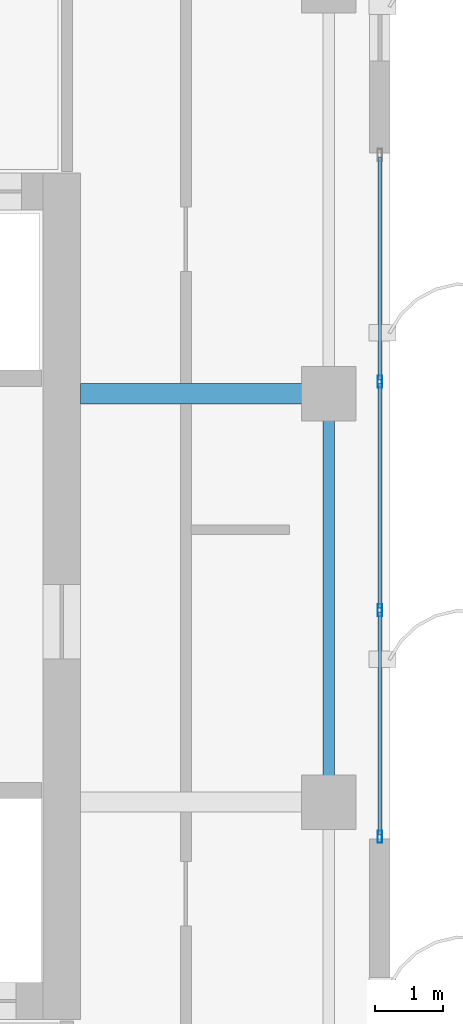
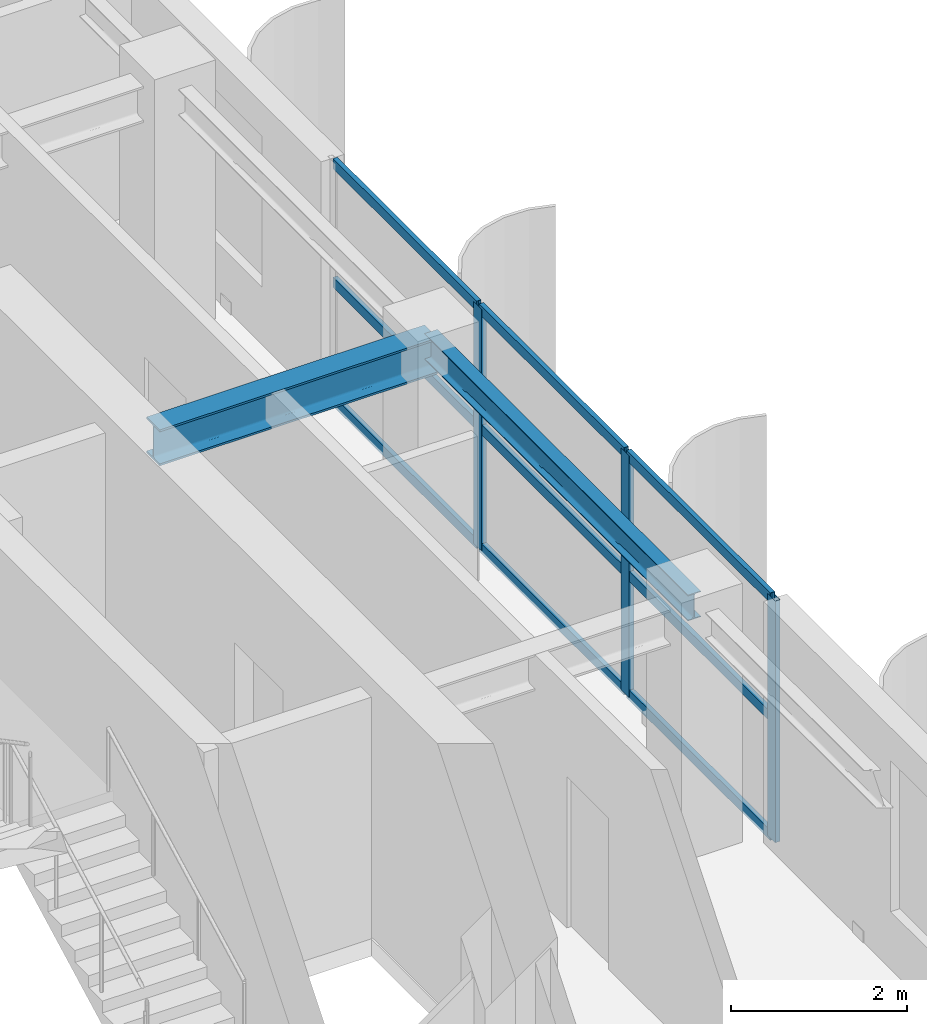
# One storey, part 12 of 24: 12 members, 2 beams, 1 element without a shape of its own.
"""IFC4 building model written with IfcOpenShell, lengths in metres."""

from ifc_helpers import new_model, si_unit, direction, frame, origin, origin_2d, place, context, subcontext, project, spatial, hollow_rectangle, i_section, extrude, source, transform, mapped, material, layer, layer_set, material_profile, profile_set, type_object, element, aggregate, save


model = new_model("IFC4")

# Units and contexts
model_context = context("Model", 3, precision=1e-05, world=origin(), true_north=direction((0.0, 1.0)))
body_context = subcontext(model_context, "Body", "Model", "MODEL_VIEW")
ifc_project = project(units=[si_unit("LENGTHUNIT", "METRE"), si_unit("AREAUNIT", "SQUARE_METRE"), si_unit("VOLUMEUNIT", "CUBIC_METRE"), si_unit("PLANEANGLEUNIT", "RADIAN"), si_unit("MASSUNIT", "GRAM", prefix="KILO")], contexts=[model_context])

# Site, building, storey
site_placement = place(None, origin())
site = spatial("IfcSite", under=ifc_project, at=site_placement, CompositionType="ELEMENT")
building_placement = place(site_placement, origin())
building = spatial("IfcBuilding", under=site, at=building_placement, Name="Khoralis Quay Care Tower", CompositionType="ELEMENT")
storey_placement = place(building_placement, frame((0.0, 0.0, 231.300048828125)))
storey = spatial("IfcBuildingStorey", under=building, at=storey_placement, Name="L60", CompositionType="ELEMENT", Elevation=231.300048828125)

# Beams
ifc_material_1 = material(Name="Steel S355", Category="steel")
ifc_material_profile_1 = material_profile(ifc_material_1, i_section(OverallWidth=0.169921875, OverallDepth=0.360107421875, WebThickness=0.008056640625, FlangeThickness=0.0126953125, FilletRadius=0.01806640625, at=origin_2d()), Name="Steel S355")
ifc_profile_set_1 = profile_set([ifc_material_profile_1], Name="Steel S355")
beam_type_1 = type_object("IfcBeamType", Name="BM-IPE360", PredefinedType="SPANDREL", material=ifc_profile_set_1)
shared_shape_1 = source(origin(), body_context, "Body", "SweptSolid", [
    extrude(i_section(OverallWidth=0.169921875, OverallDepth=0.360107421875, WebThickness=0.008056640625, FlangeThickness=0.0126953125, FilletRadius=0.01806640625, at=origin_2d()), origin(), (0.0, 0.0, 1.0), 6.0),
])
beam_1_placement = place(storey_placement, frame((41.10009765625, 18.0, 3.179931640625), z_axis=(0.0, 1.0, 0.0), x_axis=(-1.0, 0.0, 0.0)))
element("IfcBeam", 1, at=beam_1_placement, inside=storey, type_object=beam_type_1, Name="BM-TSP-L60-10", PredefinedType="SPANDREL", context=body_context, shape_type="MappedRepresentation", body=[
    mapped(shared_shape_1, transform((0.0, 0.0, 0.0), scale=1.0)),
])
ifc_material_profile_2 = material_profile(ifc_material_1, i_section(OverallWidth=0.300048828125, OverallDepth=0.5, WebThickness=0.014404296875, FlangeThickness=0.028076171875, FilletRadius=0.027099609375, at=origin_2d()), Name="Steel S355")
ifc_profile_set_2 = profile_set([ifc_material_profile_2], Name="Steel S355")
beam_type_2 = type_object("IfcBeamType", Name="BM-HEB500", PredefinedType="BEAM", material=ifc_profile_set_2)
shared_shape_2 = source(origin(), body_context, "Body", "SweptSolid", [
    extrude(i_section(OverallWidth=0.300048828125, OverallDepth=0.5, WebThickness=0.014404296875, FlangeThickness=0.028076171875, FilletRadius=0.027099609375, at=origin_2d()), origin(), (0.0, 0.0, 1.0), 3.652099609375),
])
beam_2_placement = place(storey_placement, frame((37.447998046875, 24.0, 3.10986328125), z_axis=(1.0, 0.0, 0.0), x_axis=(0.0, 1.0, 0.0)))
element("IfcBeam", 2, at=beam_2_placement, inside=storey, type_object=beam_type_2, Name="BM-TGXE-L60-240", PredefinedType="BEAM", context=body_context, shape_type="MappedRepresentation", body=[
    mapped(shared_shape_2, transform((0.0, 0.0, 0.0), scale=1.0)),
])

# Curtain wall, members
ifc_material_2 = material(Name="Pale anodised aluminium", Category="aluminium")
ifc_layer = layer(ifc_material_2, 0.159912109375)
ifc_layer_set = layer_set([ifc_layer], Name="Pale anodised aluminium")
curtain_wall_type = type_object("IfcCurtainWallType", Name="CW-SYS-Z3", PredefinedType="NOTDEFINED", material=ifc_layer_set)
curtain_wall_placement = place(storey_placement, origin())
curtain_wall = element("IfcCurtainWall", 3, at=curtain_wall_placement, inside=storey, type_object=curtain_wall_type, Name="L60 Unitised Curtain Wall CW-L60-P2-E5", PredefinedType="NOTDEFINED")
ifc_material_profile_3 = material_profile(ifc_material_2, hollow_rectangle(XDim=0.06005859375, YDim=0.139892578125, WallThickness=0.00390625, at=origin_2d()), Name="Pale anodised aluminium")
ifc_profile_set_3 = profile_set([ifc_material_profile_3], Name="Pale anodised aluminium")
member_type_1 = type_object("IfcMemberType", Name="CW-TRN-140", PredefinedType="USERDEFINED", material=ifc_profile_set_3)
shared_shape_3 = source(origin(), body_context, "Body", "SweptSolid", [
    extrude(hollow_rectangle(XDim=0.06005859375, YDim=0.139892578125, WallThickness=0.00390625, at=origin_2d()), origin(), (0.0, 0.0, 1.0), 3.27001953125),
])
member_1_placement = place(storey_placement, frame((41.85009765625, 17.52001953125, 0.030029296875), z_axis=(0.0, 1.0, 0.0), x_axis=(-1.0, 0.0, 0.0)))
member_1 = element("IfcMember", 4, at=member_1_placement, type_object=member_type_1, Name="CW3 transom 1.1", ObjectType="TRANSOM", PredefinedType="USERDEFINED", context=body_context, shape_type="MappedRepresentation", body=[
    mapped(shared_shape_3, transform((0.0, 0.0, 0.0), scale=1.0)),
])
member_2_placement = place(storey_placement, frame((41.85009765625, 17.52001953125, 1.679931640625), z_axis=(0.0, 1.0, 0.0), x_axis=(-1.0, 0.0, 0.0)))
member_2 = element("IfcMember", 5, at=member_2_placement, type_object=member_type_1, Name="CW3 transom 1.2", ObjectType="TRANSOM", PredefinedType="USERDEFINED", context=body_context, shape_type="MappedRepresentation", body=[
    mapped(shared_shape_3, transform((0.0, 0.0, 0.0), scale=1.0)),
])
member_3_placement = place(storey_placement, frame((41.85009765625, 17.52001953125, 3.329833984375), z_axis=(0.0, 1.0, 0.0), x_axis=(-1.0, 0.0, 0.0)))
member_3 = element("IfcMember", 6, at=member_3_placement, type_object=member_type_1, Name="CW3 transom 1.3", ObjectType="TRANSOM", PredefinedType="USERDEFINED", context=body_context, shape_type="MappedRepresentation", body=[
    mapped(shared_shape_3, transform((0.0, 0.0, 0.0), scale=1.0)),
])
member_4_placement = place(storey_placement, frame((41.85009765625, 24.2099609375, 0.030029296875), z_axis=(0.0, 1.0, 0.0), x_axis=(-1.0, 0.0, 0.0)))
member_4 = element("IfcMember", 7, at=member_4_placement, type_object=member_type_1, Name="CW3 transom 3.1", ObjectType="TRANSOM", PredefinedType="USERDEFINED", context=body_context, shape_type="MappedRepresentation", body=[
    mapped(shared_shape_3, transform((0.0, 0.0, 0.0), scale=1.0)),
])
member_5_placement = place(storey_placement, frame((41.85009765625, 24.2099609375, 1.679931640625), z_axis=(0.0, 1.0, 0.0), x_axis=(-1.0, 0.0, 0.0)))
member_5 = element("IfcMember", 8, at=member_5_placement, type_object=member_type_1, Name="CW3 transom 3.2", ObjectType="TRANSOM", PredefinedType="USERDEFINED", context=body_context, shape_type="MappedRepresentation", body=[
    mapped(shared_shape_3, transform((0.0, 0.0, 0.0), scale=1.0)),
])
member_6_placement = place(storey_placement, frame((41.85009765625, 24.2099609375, 3.329833984375), z_axis=(0.0, 1.0, 0.0), x_axis=(-1.0, 0.0, 0.0)))
member_6 = element("IfcMember", 9, at=member_6_placement, type_object=member_type_1, Name="CW3 transom 3.3", ObjectType="TRANSOM", PredefinedType="USERDEFINED", context=body_context, shape_type="MappedRepresentation", body=[
    mapped(shared_shape_3, transform((0.0, 0.0, 0.0), scale=1.0)),
])
shared_shape_4 = source(origin(), body_context, "Body", "SweptSolid", [
    extrude(hollow_rectangle(XDim=0.06005859375, YDim=0.139892578125, WallThickness=0.00390625, at=origin_2d()), origin(), (0.0, 0.0, 1.0), 3.2998046875),
])
member_7_placement = place(storey_placement, frame((41.85009765625, 20.85009765625, 0.030029296875), z_axis=(0.0, 1.0, 0.0), x_axis=(-1.0, 0.0, 0.0)))
member_7 = element("IfcMember", 10, at=member_7_placement, type_object=member_type_1, Name="CW3 transom 2.1", ObjectType="TRANSOM", PredefinedType="USERDEFINED", context=body_context, shape_type="MappedRepresentation", body=[
    mapped(shared_shape_4, transform((0.0, 0.0, 0.0), scale=1.0)),
])
member_8_placement = place(storey_placement, frame((41.85009765625, 20.85009765625, 1.679931640625), z_axis=(0.0, 1.0, 0.0), x_axis=(-1.0, 0.0, 0.0)))
member_8 = element("IfcMember", 11, at=member_8_placement, type_object=member_type_1, Name="CW3 transom 2.2", ObjectType="TRANSOM", PredefinedType="USERDEFINED", context=body_context, shape_type="MappedRepresentation", body=[
    mapped(shared_shape_4, transform((0.0, 0.0, 0.0), scale=1.0)),
])
member_9_placement = place(storey_placement, frame((41.85009765625, 20.85009765625, 3.329833984375), z_axis=(0.0, 1.0, 0.0), x_axis=(-1.0, 0.0, 0.0)))
member_9 = element("IfcMember", 12, at=member_9_placement, type_object=member_type_1, Name="CW3 transom 2.3", ObjectType="TRANSOM", PredefinedType="USERDEFINED", context=body_context, shape_type="MappedRepresentation", body=[
    mapped(shared_shape_4, transform((0.0, 0.0, 0.0), scale=1.0)),
])
ifc_material_profile_4 = material_profile(ifc_material_2, hollow_rectangle(XDim=0.06494140625, YDim=0.179931640625, WallThickness=0.00390625, at=origin_2d()), Name="Pale anodised aluminium")
ifc_profile_set_4 = profile_set([ifc_material_profile_4], Name="Pale anodised aluminium")
member_type_2 = type_object("IfcMemberType", Name="CW-MUL-180", PredefinedType="MULLION", material=ifc_profile_set_4)
shared_shape_5 = source(origin(), body_context, "Body", "SweptSolid", [
    extrude(hollow_rectangle(XDim=0.06494140625, YDim=0.179931640625, WallThickness=0.00390625, at=origin_2d()), origin(), (0.0, 0.0, 1.0), 3.35986328125),
])
member_10_placement = place(storey_placement, frame((41.85009765625, 17.489990234375, 0.0), z_axis=(0.0, 0.0, 1.0), x_axis=(-1.0, 0.0, 0.0)))
member_10 = element("IfcMember", 13, at=member_10_placement, type_object=member_type_2, Name="CW3 mullion 1", PredefinedType="MULLION", context=body_context, shape_type="MappedRepresentation", body=[
    mapped(shared_shape_5, transform((0.0, 0.0, 0.0), scale=1.0)),
])
member_11_placement = place(storey_placement, frame((41.85009765625, 20.820068359375, 0.0), z_axis=(0.0, 0.0, 1.0), x_axis=(-1.0, 0.0, 0.0)))
member_11 = element("IfcMember", 14, at=member_11_placement, type_object=member_type_2, Name="CW3 mullion 2", PredefinedType="MULLION", context=body_context, shape_type="MappedRepresentation", body=[
    mapped(shared_shape_5, transform((0.0, 0.0, 0.0), scale=1.0)),
])
member_12_placement = place(storey_placement, frame((41.85009765625, 24.179931640625, 0.0), z_axis=(0.0, 0.0, 1.0), x_axis=(-1.0, 0.0, 0.0)))
member_12 = element("IfcMember", 15, at=member_12_placement, type_object=member_type_2, Name="CW3 mullion 3", PredefinedType="MULLION", context=body_context, shape_type="MappedRepresentation", body=[
    mapped(shared_shape_5, transform((0.0, 0.0, 0.0), scale=1.0)),
])
aggregate(curtain_wall, [member_10, member_11, member_12, member_1, member_2, member_3, member_7, member_8, member_9, member_4, member_5, member_6])

save(model, "model.ifc")
